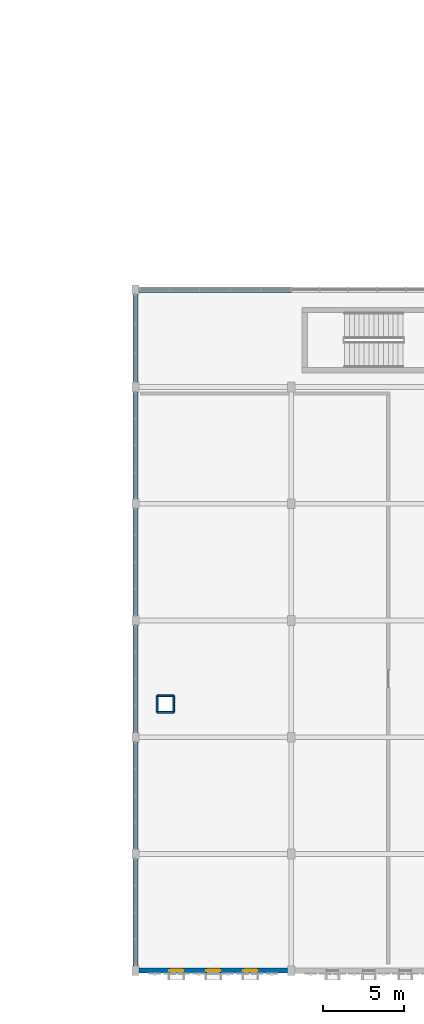
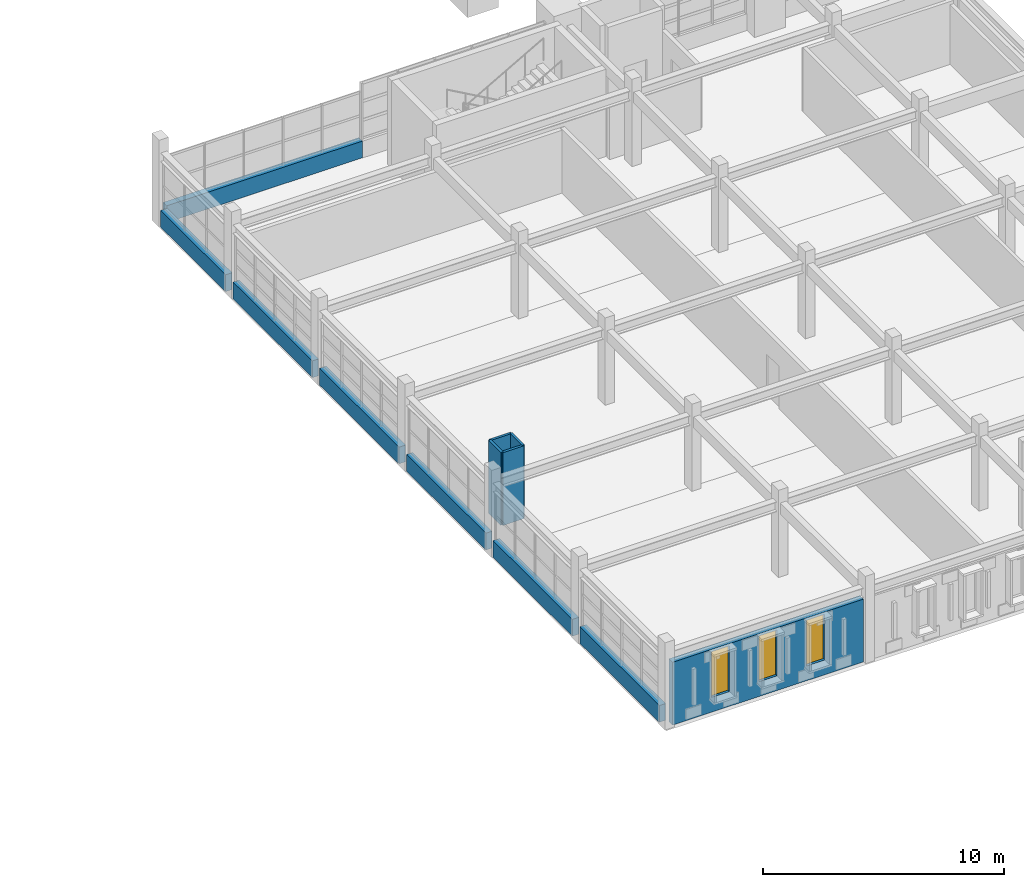
# One storey, part 43 of 69: 12 walls, 3 windows, 3 openings.
"""IFC4 building model written with IfcOpenShell, lengths in metres."""

from ifc_helpers import new_model, si_unit, direction, frame, frame_2d, origin, place, context, subcontext, project, spatial, rectangle, extrude, material, layer, layer_set, type_object, element, fill, save


model = new_model("IFC4")

# Units and contexts
model_context = context("Model", 3, precision=1e-05, world=origin(), true_north=direction((0.0, 1.0)))
body_context = subcontext(model_context, "Body", "Model", "MODEL_VIEW")
ifc_project = project(units=[si_unit("LENGTHUNIT", "METRE"), si_unit("AREAUNIT", "SQUARE_METRE"), si_unit("VOLUMEUNIT", "CUBIC_METRE"), si_unit("PLANEANGLEUNIT", "RADIAN"), si_unit("MASSUNIT", "GRAM", prefix="KILO")], contexts=[model_context])

# Site, building, storey
site_placement = place(None, origin())
site = spatial("IfcSite", under=ifc_project, at=site_placement, CompositionType="ELEMENT")
building_placement = place(site_placement, origin())
building = spatial("IfcBuilding", under=site, at=building_placement, Name="Nzembalo Square Collegiate School", CompositionType="ELEMENT")
storey_placement = place(building_placement, frame((0.0, 0.0, 5.10009765625)))
storey = spatial("IfcBuildingStorey", under=building, at=storey_placement, Name="L01", CompositionType="ELEMENT", Elevation=5.10009765625)

# Walls
ifc_material_1 = material(Name="Concrete C35/45", Category="concrete")
ifc_layer_1 = layer(ifc_material_1, 0.320068359375, Name="Concrete C35/45")
ifc_layer_set_1 = layer_set([ifc_layer_1], Name="Concrete C35/45")
wall_type_1 = type_object("IfcWallType", Name="W03", PredefinedType="SOLIDWALL", material=ifc_layer_set_1)
for number, where, z_axis, x_axis, name in (
    (1, (130.800048828125, 15.902099609375, 0.0), (0.0, 0.0, 1.0), (0.0, 1.0, 0.0), "Spandrel wall W03 L01"),
    (2, (130.800048828125, 30.302001953125, 0.0), (0.0, 0.0, 1.0), (0.0, 1.0, 0.0), "Spandrel wall W03 L01"),
):
    element("IfcWall", number, at=place(storey_placement, frame(where, z_axis=z_axis, x_axis=x_axis)), inside=storey, type_object=wall_type_1, Name=name, PredefinedType="SOLIDWALL", context=body_context, shape_type="SweptSolid", body=[
        extrude(rectangle(XDim=6.595947265625, YDim=0.320068359375, at=frame_2d((3.2978515625, 0.0))), origin(), (0.0, 0.0, 1.0), 0.849853515625),
    ])
wall_1_placement = place(storey_placement, frame((130.800048828125, 44.701904296875, 0.0), z_axis=(0.0, 0.0, 1.0), x_axis=(0.0, 1.0, 0.0)))
element("IfcWall", 3, at=wall_1_placement, inside=storey, type_object=wall_type_1, Name="Spandrel wall W03 L01", PredefinedType="SOLIDWALL", context=body_context, shape_type="SweptSolid", body=[
    extrude(rectangle(XDim=5.39599609375, YDim=0.320068359375, at=frame_2d((2.697998046875, 0.0))), origin(), (0.0, 0.0, 1.0), 0.849853515625),
])

# Wall, openings, windows
ifc_material_2 = material(Name="Concrete C35/45", Category="concrete")
ifc_layer_2 = layer(ifc_material_2, 0.300048828125, Name="Concrete C35/45")
ifc_layer_set_2 = layer_set([ifc_layer_2], Name="Concrete C35/45")
wall_type_2 = type_object("IfcWallType", Name="W04", PredefinedType="SOLIDWALL", material=ifc_layer_set_2)
wall_2_placement = place(storey_placement, frame((131.027099609375, 8.39990234375, 0.0), z_axis=(0.0, 0.0, 1.0), x_axis=(1.0, 0.0, 0.0)))
wall_2 = element("IfcWall", 4, at=wall_2_placement, inside=storey, type_object=wall_type_2, Name="Exterior wall W04 L01", PredefinedType="SOLIDWALL", context=body_context, shape_type="SweptSolid", body=[
    extrude(rectangle(XDim=9.14599609375, YDim=0.300048828125, at=frame_2d((4.572998046875, 0.0))), origin(), (0.0, 0.0, 1.0), 3.183837890625),
])
opening_1_placement = place(wall_2_placement, frame((1.861572265625, 0.0, 0.75)))
opening_1 = element("IfcOpeningElement", 5, at=opening_1_placement, cuts=wall_2, Name="Opening WN-L01-208", PredefinedType="OPENING", context=body_context, shape_type="SweptSolid", body=[
    extrude(rectangle(XDim=0.860107421875, YDim=2.320068359375, at=frame_2d((0.43017578125, 1.16015625))), frame((0.0, 0.16015625, 0.0), z_axis=(0.0, -1.0, 0.0), x_axis=(1.0, 0.0, 0.0)), (0.0, 0.0, 1.0), 0.320068359375),
])
opening_2_placement = place(wall_2_placement, frame((4.14306640625, 0.0, 0.75)))
opening_2 = element("IfcOpeningElement", 6, at=opening_2_placement, cuts=wall_2, Name="Opening WN-L01-209", PredefinedType="OPENING", context=body_context, shape_type="SweptSolid", body=[
    extrude(rectangle(XDim=0.860107421875, YDim=2.320068359375, at=frame_2d((0.43017578125, 1.16015625))), frame((0.0, 0.16015625, 0.0), z_axis=(0.0, -1.0, 0.0), x_axis=(1.0, 0.0, 0.0)), (0.0, 0.0, 1.0), 0.320068359375),
])
opening_3_placement = place(wall_2_placement, frame((6.424560546875, 0.0, 0.75)))
opening_3 = element("IfcOpeningElement", 7, at=opening_3_placement, cuts=wall_2, Name="Opening WN-L01-210", PredefinedType="OPENING", context=body_context, shape_type="SweptSolid", body=[
    extrude(rectangle(XDim=0.860107421875, YDim=2.320068359375, at=frame_2d((0.43017578125, 1.16015625))), frame((0.0, 0.16015625, 0.0), z_axis=(0.0, -1.0, 0.0), x_axis=(1.0, 0.0, 0.0)), (0.0, 0.0, 1.0), 0.320068359375),
])
ifc_material_3 = material(Name="Powder-coated aluminium and low-E double glazing", Category="aluminium")
window_type = type_object("IfcWindowType", Name="WN61", PartitioningType="SINGLE_PANEL", PredefinedType="WINDOW", material=ifc_material_3)
window_1_placement = place(opening_1_placement, origin())
window_1 = element("IfcWindow", 8, at=window_1_placement, inside=storey, type_object=window_type, Name="Lancet window WN-L01-208", OverallHeight=2.320068359375, OverallWidth=0.860107421875, PartitioningType="SINGLE_PANEL", PredefinedType="WINDOW", context=body_context, shape_type="SweptSolid", body=[
    extrude(rectangle(XDim=0.860107421875, YDim=2.320068359375, at=frame_2d((0.43017578125, 1.16015625))), frame((0.0, 0.030029296875, 0.0), z_axis=(0.0, -1.0, 0.0), x_axis=(1.0, 0.0, 0.0)), (0.0, 0.0, 1.0), 0.06005859375),
])
fill(opening_1, window_1)
window_2_placement = place(opening_2_placement, origin())
window_2 = element("IfcWindow", 9, at=window_2_placement, inside=storey, type_object=window_type, Name="Lancet window WN-L01-209", OverallHeight=2.320068359375, OverallWidth=0.860107421875, PartitioningType="SINGLE_PANEL", PredefinedType="WINDOW", context=body_context, shape_type="SweptSolid", body=[
    extrude(rectangle(XDim=0.860107421875, YDim=2.320068359375, at=frame_2d((0.43017578125, 1.16015625))), frame((0.0, 0.030029296875, 0.0), z_axis=(0.0, -1.0, 0.0), x_axis=(1.0, 0.0, 0.0)), (0.0, 0.0, 1.0), 0.06005859375),
])
fill(opening_2, window_2)
window_3_placement = place(opening_3_placement, origin())
window_3 = element("IfcWindow", 10, at=window_3_placement, inside=storey, type_object=window_type, Name="Lancet window WN-L01-210", OverallHeight=2.320068359375, OverallWidth=0.860107421875, PartitioningType="SINGLE_PANEL", PredefinedType="WINDOW", context=body_context, shape_type="SweptSolid", body=[
    extrude(rectangle(XDim=0.860107421875, YDim=2.320068359375, at=frame_2d((0.43017578125, 1.16015625))), frame((0.0, 0.030029296875, 0.0), z_axis=(0.0, -1.0, 0.0), x_axis=(1.0, 0.0, 0.0)), (0.0, 0.0, 1.0), 0.06005859375),
])
fill(opening_3, window_3)

# Walls
wall_3_placement = place(storey_placement, frame((130.800048828125, 8.701904296875, 0.0), z_axis=(0.0, 0.0, 1.0), x_axis=(0.0, 1.0, 0.0)))
element("IfcWall", 11, at=wall_3_placement, inside=storey, type_object=wall_type_2, Name="Spandrel wall W04 L01", PredefinedType="SOLIDWALL", context=body_context, shape_type="SweptSolid", body=[
    extrude(rectangle(XDim=6.59619140625, YDim=0.300048828125, at=frame_2d((3.298095703125, 0.0))), origin(), (0.0, 0.0, 1.0), 0.849853515625),
])
for number, where, z_axis, x_axis, name in (
    (12, (130.800048828125, 23.10205078125, 0.0), (0.0, 0.0, 1.0), (0.0, 1.0, 0.0), "Spandrel wall W04 L01"),
    (13, (130.800048828125, 37.501953125, 0.0), (0.0, 0.0, 1.0), (0.0, 1.0, 0.0), "Spandrel wall W04 L01"),
):
    element("IfcWall", number, at=place(storey_placement, frame(where, z_axis=z_axis, x_axis=x_axis)), inside=storey, type_object=wall_type_2, Name=name, PredefinedType="SOLIDWALL", context=body_context, shape_type="SweptSolid", body=[
        extrude(rectangle(XDim=6.595947265625, YDim=0.300048828125, at=frame_2d((3.2978515625, 0.0))), origin(), (0.0, 0.0, 1.0), 0.849853515625),
    ])
wall_4_placement = place(storey_placement, frame((131.027099609375, 50.39990234375, 0.0), z_axis=(0.0, 0.0, 1.0), x_axis=(1.0, 0.0, 0.0)))
element("IfcWall", 14, at=wall_4_placement, inside=storey, type_object=wall_type_2, Name="Spandrel wall W04 L01", PredefinedType="SOLIDWALL", context=body_context, shape_type="SweptSolid", body=[
    extrude(rectangle(XDim=9.372802734375, YDim=0.300048828125, at=frame_2d((4.6865234375, 0.0))), origin(), (0.0, 0.0, 1.0), 0.849853515625),
])
ifc_material_4 = material(Name="Fire-rated shaftwall stud")
ifc_layer_3 = layer(ifc_material_4, 0.1201171875, Name="Fire-rated shaftwall stud")
ifc_layer_set_3 = layer_set([ifc_layer_3], Name="Fire-rated shaftwall stud")
wall_type_3 = type_object("IfcWallType", Name="W23", PredefinedType="PARTITIONING", material=ifc_layer_set_3)
for number, where, z_axis, x_axis, name in (
    (15, (132.139892578125, 24.340087890625, 0.0), (0.0, 0.0, 1.0), (1.0, 0.0, 0.0), "Service riser shaftwall W23-014-1"),
    (16, (133.159912109375, 24.340087890625, 0.0), (0.0, 0.0, 1.0), (0.0, 1.0, 0.0), "Service riser shaftwall W23-014-2"),
    (17, (133.159912109375, 25.360107421875, 0.0), (0.0, 0.0, 1.0), (-1.0, 0.0, 0.0), "Service riser shaftwall W23-014-3"),
    (18, (132.139892578125, 25.360107421875, 0.0), (0.0, 0.0, 1.0), (0.0, -1.0, 0.0), "Service riser shaftwall W23-014-4"),
):
    element("IfcWall", number, at=place(storey_placement, frame(where, z_axis=z_axis, x_axis=x_axis)), inside=storey, type_object=wall_type_3, Name=name, PredefinedType="PARTITIONING", context=body_context, shape_type="SweptSolid", body=[
        extrude(rectangle(XDim=1.02001953125, YDim=0.1201171875, at=frame_2d((0.510009765625, 0.0))), origin(), (0.0, 0.0, 1.0), 3.69384765625),
    ])

save(model, "model.ifc")
